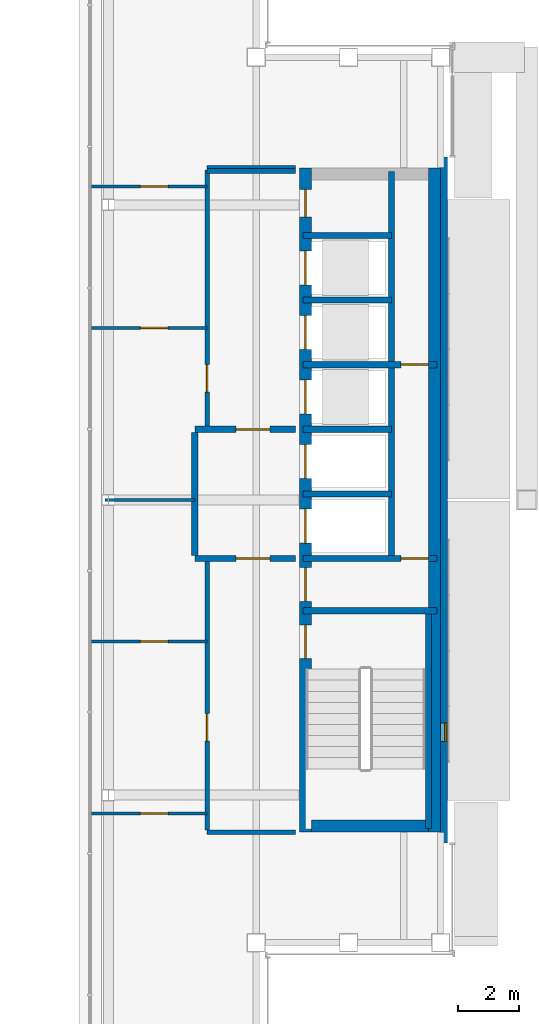
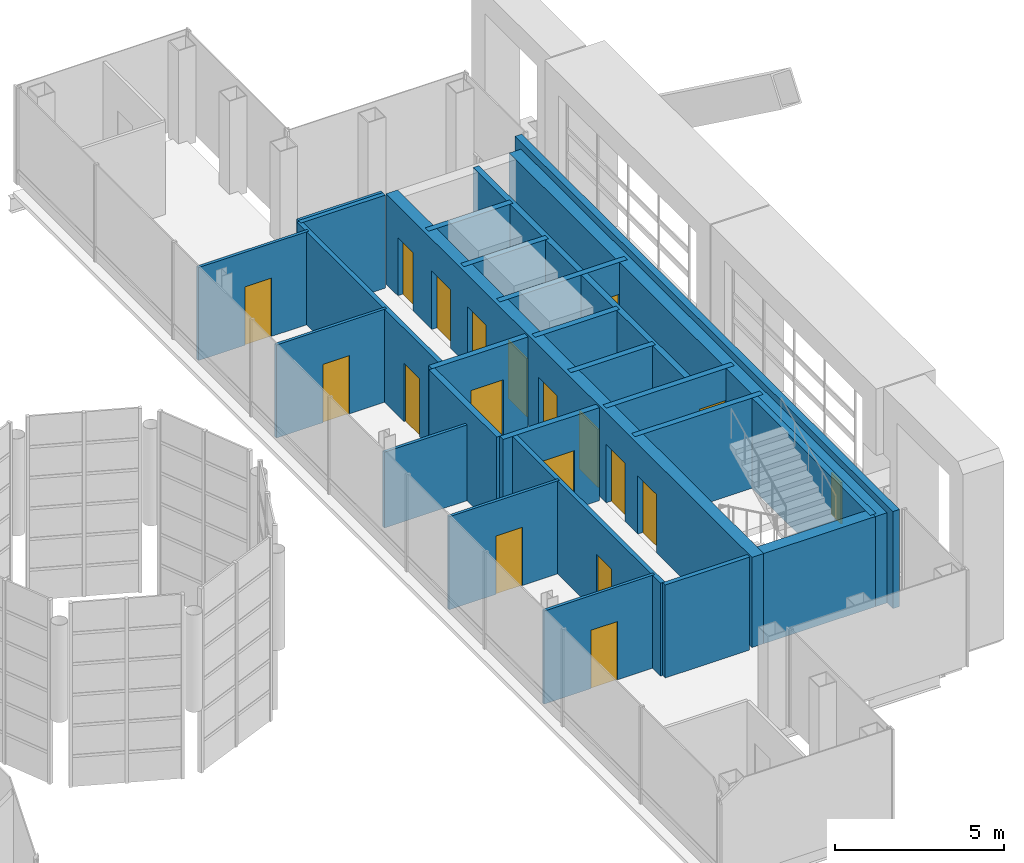
# One storey, part 14 of 21: 27 walls, 18 doors, 1 window, 19 openings.
"""IFC4 building model written with IfcOpenShell, lengths in metres."""

from ifc_helpers import new_model, si_unit, direction, frame, frame_2d, origin, place, context, subcontext, project, spatial, rectangle, extrude, material, layer, layer_set, type_object, element, fill, save


model = new_model("IFC4")

# Units and contexts
model_context = context("Model", 3, precision=1e-05, world=origin(), true_north=direction((0.0, 1.0)))
body_context = subcontext(model_context, "Body", "Model", "MODEL_VIEW")
ifc_project = project(units=[si_unit("LENGTHUNIT", "METRE"), si_unit("AREAUNIT", "SQUARE_METRE"), si_unit("VOLUMEUNIT", "CUBIC_METRE"), si_unit("PLANEANGLEUNIT", "RADIAN"), si_unit("MASSUNIT", "GRAM", prefix="KILO")], contexts=[model_context])

# Site, building, storey
site_placement = place(None, origin())
site = spatial("IfcSite", under=ifc_project, at=site_placement, CompositionType="ELEMENT")
building_placement = place(site_placement, origin())
building = spatial("IfcBuilding", under=site, at=building_placement, Name="Cobrizo Arcos Hotel Tower", CompositionType="ELEMENT")
storey_placement = place(building_placement, frame((0.0, 0.0, 276.0)))
storey = spatial("IfcBuildingStorey", under=building, at=storey_placement, Name="L73", CompositionType="ELEMENT", Elevation=276.0)

# Walls
ifc_material_1 = material(Name="Gypsum board partition")
ifc_layer_1 = layer(ifc_material_1, 0.14990234375)
ifc_layer_set_1 = layer_set([ifc_layer_1], Name="Corridor wall EI 60 150")
wall_type_1 = type_object("IfcWallType", Name="Corridor wall EI 60 150", PredefinedType="PARTITIONING", material=ifc_layer_set_1)
for number, where, z_axis, x_axis, name in (
    (1, (12.800048828125, -10.800048828125, 0.0), (0.0, 0.0, 1.0), (1.0, 0.0, 0.0), "Partition 004"),
    (2, (12.800048828125, 10.699951171875, 0.0), (0.0, 0.0, 1.0), (1.0, 0.0, 0.0), "Partition 033"),
    (3, (12.800048828125, 10.800048828125, 0.0), (0.0, 0.0, 1.0), (1.0, 0.0, 0.0), "Partition 035"),
):
    element("IfcWall", number, at=place(storey_placement, frame(where, z_axis=z_axis, x_axis=x_axis)), inside=storey, type_object=wall_type_1, Name=name, PredefinedType="PARTITIONING", context=body_context, shape_type="SweptSolid", body=[
        extrude(rectangle(XDim=2.8798828125, YDim=0.14990234375, at=frame_2d((1.43994140625, 0.0))), origin(), (0.0, 0.0, 1.0), 3.35009765625),
    ])

# Wall, opening, door
wall_1_placement = place(storey_placement, frame((12.800048828125, -10.72509765625, 0.0), z_axis=(0.0, 0.0, 1.0), x_axis=(0.0, 1.0, 0.0)))
wall_1 = element("IfcWall", 4, at=wall_1_placement, inside=storey, type_object=wall_type_1, Name="Partition 050", PredefinedType="PARTITIONING", context=body_context, shape_type="SweptSolid", body=[
    extrude(rectangle(XDim=8.72509765625, YDim=0.14990234375, at=frame_2d((4.362548828125, 0.0))), origin(), (0.0, 0.0, 1.0), 3.35009765625),
])
opening_1_placement = place(wall_1_placement, frame((2.8798828125, 0.0, 0.0)))
opening_1 = element("IfcOpeningElement", 5, at=opening_1_placement, cuts=wall_1, Name="Opening RD-10", PredefinedType="OPENING", context=body_context, shape_type="SweptSolid", body=[
    extrude(rectangle(XDim=0.89990234375, YDim=2.10009765625, at=frame_2d((0.449951171875, 1.050048828125))), frame((0.0, 0.0869140625, 0.0), z_axis=(0.0, -1.0, 0.0), x_axis=(1.0, 0.0, 0.0)), (0.0, 0.0, 1.0), 0.173828125),
])
ifc_material_2 = material(Name="Timber door leaf", Category="wood")
door_type_1 = type_object("IfcDoorType", Name="Room door FD30 900x2100", OperationType="SINGLE_SWING_LEFT", PredefinedType="DOOR", material=ifc_material_2)
door_1_placement = place(opening_1_placement, origin())
door_1 = element("IfcDoor", 6, at=door_1_placement, inside=storey, type_object=door_type_1, Name="Door RD-10", OperationType="SINGLE_SWING_RIGHT", OverallHeight=2.10009765625, OverallWidth=0.89990234375, PredefinedType="DOOR", context=body_context, shape_type="SweptSolid", body=[
    extrude(rectangle(XDim=0.89990234375, YDim=2.10009765625, at=frame_2d((0.449951171875, 1.050048828125))), frame((0.0, 0.02490234375, 0.0), z_axis=(0.0, -1.0, 0.0), x_axis=(1.0, 0.0, 0.0)), (0.0, 0.0, 1.0), 0.050048828125),
])
fill(opening_1, door_1)

wall_2_placement = place(storey_placement, frame((12.800048828125, 2.39990234375, 0.0), z_axis=(0.0, 0.0, 1.0), x_axis=(0.0, 1.0, 0.0)))
wall_2 = element("IfcWall", 7, at=wall_2_placement, inside=storey, type_object=wall_type_1, Name="Partition 051", PredefinedType="PARTITIONING", context=body_context, shape_type="SweptSolid", body=[
    extrude(rectangle(XDim=8.3251953125, YDim=0.14990234375, at=frame_2d((4.16259765625, 0.0))), origin(), (0.0, 0.0, 1.0), 3.35009765625),
])
opening_2_placement = place(wall_2_placement, frame((1.10498046875, 0.0, 0.0)))
opening_2 = element("IfcOpeningElement", 8, at=opening_2_placement, cuts=wall_2, Name="Opening RD-07", PredefinedType="OPENING", context=body_context, shape_type="SweptSolid", body=[
    extrude(rectangle(XDim=0.89990234375, YDim=2.10009765625, at=frame_2d((0.449951171875, 1.050048828125))), frame((0.0, 0.0869140625, 0.0), z_axis=(0.0, -1.0, 0.0), x_axis=(1.0, 0.0, 0.0)), (0.0, 0.0, 1.0), 0.173828125),
])
door_2_placement = place(opening_2_placement, origin())
door_2 = element("IfcDoor", 9, at=door_2_placement, inside=storey, type_object=door_type_1, Name="Door RD-07", OperationType="SINGLE_SWING_LEFT", OverallHeight=2.10009765625, OverallWidth=0.89990234375, PredefinedType="DOOR", context=body_context, shape_type="SweptSolid", body=[
    extrude(rectangle(XDim=0.89990234375, YDim=2.10009765625, at=frame_2d((0.449951171875, 1.050048828125))), frame((0.0, 0.02490234375, 0.0), z_axis=(0.0, -1.0, 0.0), x_axis=(1.0, 0.0, 0.0)), (0.0, 0.0, 1.0), 0.050048828125),
])
fill(opening_2, door_2)

# Wall, opening, window
ifc_material_3 = material(Name="Aluminium composite panel pale metal", Category="aluminium")
ifc_layer_2 = layer(ifc_material_3, 0.22509765625)
ifc_layer_set_2 = layer_set([ifc_layer_2], Name="EW-1 insulated panel wall 225")
wall_type_2 = type_object("IfcWallType", Name="EW-1 insulated panel wall 225", PredefinedType="SOLIDWALL", material=ifc_layer_set_2)
wall_3_placement = place(storey_placement, frame((20.512451171875, -11.14990234375, 0.0), z_axis=(0.0, 0.0, 1.0), x_axis=(0.0, 1.0, 0.0)))
wall_3 = element("IfcWall", 10, at=wall_3_placement, inside=storey, type_object=wall_type_2, Name="Core face wall L73 E", PredefinedType="SOLIDWALL", context=body_context, shape_type="SweptSolid", body=[
    extrude(rectangle(XDim=22.2998046875, YDim=0.22509765625, at=frame_2d((11.14990234375, 0.0))), origin(), (0.0, 0.0, 1.0), 3.5),
])
opening_3_placement = place(wall_3_placement, frame((3.300048828125, 0.0, 1.0)))
opening_3 = element("IfcOpeningElement", 11, at=opening_3_placement, cuts=wall_3, Name="Opening W-165", PredefinedType="OPENING", context=body_context, shape_type="SweptSolid", body=[
    extrude(rectangle(XDim=0.60009765625, YDim=1.5, at=frame_2d((0.300048828125, 0.75))), frame((0.0, 0.12451171875, 0.0), z_axis=(0.0, -1.0, 0.0), x_axis=(1.0, 0.0, 0.0)), (0.0, 0.0, 1.0), 0.2490234375),
])
ifc_material_4 = material(Name="Aluminium 6063-T6 and clear laminated glass", Category="aluminium")
window_type = type_object("IfcWindowType", Name="W-C1 core stair slot window 600x1500", PartitioningType="SINGLE_PANEL", PredefinedType="WINDOW", material=ifc_material_4)
window_placement = place(opening_3_placement, origin())
window = element("IfcWindow", 12, at=window_placement, inside=storey, type_object=window_type, Name="Core face wall L73 E window W-165", OverallHeight=1.5, OverallWidth=0.60009765625, PartitioningType="SINGLE_PANEL", PredefinedType="WINDOW", context=body_context, shape_type="SweptSolid", body=[
    extrude(rectangle(XDim=0.60009765625, YDim=1.5, at=frame_2d((0.300048828125, 0.75))), frame((0.0, -0.0224609375, 0.0), z_axis=(0.0, -1.0, 0.0), x_axis=(1.0, 0.0, 0.0)), (0.0, 0.0, 1.0), 0.06005859375),
])
fill(opening_3, window)

# Wall, opening, door
ifc_layer_3 = layer(ifc_material_1, 0.10009765625)
ifc_layer_set_3 = layer_set([ifc_layer_3], Name="Partition EI 30 100")
wall_type_3 = type_object("IfcWallType", Name="Partition EI 30 100", PredefinedType="PARTITIONING", material=ifc_layer_set_3)
wall_4_placement = place(storey_placement, frame((9.034912109375, -10.199951171875, 0.0), z_axis=(0.0, 0.0, 1.0), x_axis=(1.0, 0.0, 0.0)))
wall_4 = element("IfcWall", 13, at=wall_4_placement, inside=storey, type_object=wall_type_3, Name="Partition 006", PredefinedType="PARTITIONING", context=body_context, shape_type="SweptSolid", body=[
    extrude(rectangle(XDim=3.76513671875, YDim=0.10009765625, at=frame_2d((1.882568359375, 0.0))), origin(), (0.0, 0.0, 1.0), 3.35009765625),
])
opening_4_placement = place(wall_4_placement, frame((1.596923828125, 0.0, 0.0)))
opening_4 = element("IfcOpeningElement", 14, at=opening_4_placement, cuts=wall_4, Name="Opening RD-12", PredefinedType="OPENING", context=body_context, shape_type="SweptSolid", body=[
    extrude(rectangle(XDim=0.89990234375, YDim=2.10009765625, at=frame_2d((0.449951171875, 1.050048828125))), frame((0.0, 0.06201171875, 0.0), z_axis=(0.0, -1.0, 0.0), x_axis=(1.0, 0.0, 0.0)), (0.0, 0.0, 1.0), 0.1240234375),
])
door_3_placement = place(opening_4_placement, origin())
door_3 = element("IfcDoor", 15, at=door_3_placement, inside=storey, type_object=door_type_1, Name="Door RD-12", OperationType="SINGLE_SWING_LEFT", OverallHeight=2.10009765625, OverallWidth=0.89990234375, PredefinedType="DOOR", context=body_context, shape_type="SweptSolid", body=[
    extrude(rectangle(XDim=0.89990234375, YDim=2.10009765625, at=frame_2d((0.449951171875, 1.050048828125))), frame((0.0, 0.02490234375, 0.0), z_axis=(0.0, -1.0, 0.0), x_axis=(1.0, 0.0, 0.0)), (0.0, 0.0, 1.0), 0.050048828125),
])
fill(opening_4, door_3)

wall_5_placement = place(storey_placement, frame((9.034912109375, -4.60009765625, 0.0), z_axis=(0.0, 0.0, 1.0), x_axis=(1.0, 0.0, 0.0)))
wall_5 = element("IfcWall", 16, at=wall_5_placement, inside=storey, type_object=wall_type_3, Name="Partition 008", PredefinedType="PARTITIONING", context=body_context, shape_type="SweptSolid", body=[
    extrude(rectangle(XDim=3.76513671875, YDim=0.10009765625, at=frame_2d((1.882568359375, 0.0))), origin(), (0.0, 0.0, 1.0), 3.35009765625),
])
opening_5_placement = place(wall_5_placement, frame((1.596923828125, 0.0, 0.0)))
opening_5 = element("IfcOpeningElement", 17, at=opening_5_placement, cuts=wall_5, Name="Opening RD-11", PredefinedType="OPENING", context=body_context, shape_type="SweptSolid", body=[
    extrude(rectangle(XDim=0.89990234375, YDim=2.10009765625, at=frame_2d((0.449951171875, 1.050048828125))), frame((0.0, 0.06201171875, 0.0), z_axis=(0.0, -1.0, 0.0), x_axis=(1.0, 0.0, 0.0)), (0.0, 0.0, 1.0), 0.1240234375),
])
door_4_placement = place(opening_5_placement, origin())
door_4 = element("IfcDoor", 18, at=door_4_placement, inside=storey, type_object=door_type_1, Name="Door RD-11", OperationType="SINGLE_SWING_LEFT", OverallHeight=2.10009765625, OverallWidth=0.89990234375, PredefinedType="DOOR", context=body_context, shape_type="SweptSolid", body=[
    extrude(rectangle(XDim=0.89990234375, YDim=2.10009765625, at=frame_2d((0.449951171875, 1.050048828125))), frame((0.0, 0.02490234375, 0.0), z_axis=(0.0, -1.0, 0.0), x_axis=(1.0, 0.0, 0.0)), (0.0, 0.0, 1.0), 0.050048828125),
])
fill(opening_5, door_4)

# Wall
wall_6_placement = place(storey_placement, frame((9.485107421875, 0.0, 0.0), z_axis=(0.0, 0.0, 1.0), x_axis=(1.0, 0.0, 0.0)))
element("IfcWall", 19, at=wall_6_placement, inside=storey, type_object=wall_type_3, Name="Partition 016", PredefinedType="PARTITIONING", context=body_context, shape_type="SweptSolid", body=[
    extrude(rectangle(XDim=2.914794921875, YDim=0.10009765625, at=frame_2d((1.45751953125, 0.0))), origin(), (0.0, 0.0, 1.0), 2.72802734375),
])

# Wall, opening, door
wall_7_placement = place(storey_placement, frame((9.034912109375, 5.60009765625, 0.0), z_axis=(0.0, 0.0, 1.0), x_axis=(1.0, 0.0, 0.0)))
wall_7 = element("IfcWall", 20, at=wall_7_placement, inside=storey, type_object=wall_type_3, Name="Partition 025", PredefinedType="PARTITIONING", context=body_context, shape_type="SweptSolid", body=[
    extrude(rectangle(XDim=3.76513671875, YDim=0.10009765625, at=frame_2d((1.882568359375, 0.0))), origin(), (0.0, 0.0, 1.0), 3.35009765625),
])
opening_6_placement = place(wall_7_placement, frame((1.596923828125, 0.0, 0.0)))
opening_6 = element("IfcOpeningElement", 21, at=opening_6_placement, cuts=wall_7, Name="Opening RD-08", PredefinedType="OPENING", context=body_context, shape_type="SweptSolid", body=[
    extrude(rectangle(XDim=0.89990234375, YDim=2.10009765625, at=frame_2d((0.449951171875, 1.050048828125))), frame((0.0, 0.06201171875, 0.0), z_axis=(0.0, -1.0, 0.0), x_axis=(1.0, 0.0, 0.0)), (0.0, 0.0, 1.0), 0.1240234375),
])
door_5_placement = place(opening_6_placement, origin())
door_5 = element("IfcDoor", 22, at=door_5_placement, inside=storey, type_object=door_type_1, Name="Door RD-08", OperationType="SINGLE_SWING_RIGHT", OverallHeight=2.10009765625, OverallWidth=0.89990234375, PredefinedType="DOOR", context=body_context, shape_type="SweptSolid", body=[
    extrude(rectangle(XDim=0.89990234375, YDim=2.10009765625, at=frame_2d((0.449951171875, 1.050048828125))), frame((0.0, 0.02490234375, 0.0), z_axis=(0.0, -1.0, 0.0), x_axis=(1.0, 0.0, 0.0)), (0.0, 0.0, 1.0), 0.050048828125),
])
fill(opening_6, door_5)

wall_8_placement = place(storey_placement, frame((9.034912109375, 10.199951171875, 0.0), z_axis=(0.0, 0.0, 1.0), x_axis=(1.0, 0.0, 0.0)))
wall_8 = element("IfcWall", 23, at=wall_8_placement, inside=storey, type_object=wall_type_3, Name="Partition 031", PredefinedType="PARTITIONING", context=body_context, shape_type="SweptSolid", body=[
    extrude(rectangle(XDim=3.76513671875, YDim=0.10009765625, at=frame_2d((1.882568359375, 0.0))), origin(), (0.0, 0.0, 1.0), 3.35009765625),
])
opening_7_placement = place(wall_8_placement, frame((1.596923828125, 0.0, 0.0)))
opening_7 = element("IfcOpeningElement", 24, at=opening_7_placement, cuts=wall_8, Name="Opening RD-09", PredefinedType="OPENING", context=body_context, shape_type="SweptSolid", body=[
    extrude(rectangle(XDim=0.89990234375, YDim=2.10009765625, at=frame_2d((0.449951171875, 1.050048828125))), frame((0.0, 0.06201171875, 0.0), z_axis=(0.0, -1.0, 0.0), x_axis=(1.0, 0.0, 0.0)), (0.0, 0.0, 1.0), 0.1240234375),
])
door_6_placement = place(opening_7_placement, origin())
door_6 = element("IfcDoor", 25, at=door_6_placement, inside=storey, type_object=door_type_1, Name="Door RD-09", OperationType="SINGLE_SWING_RIGHT", OverallHeight=2.10009765625, OverallWidth=0.89990234375, PredefinedType="DOOR", context=body_context, shape_type="SweptSolid", body=[
    extrude(rectangle(XDim=0.89990234375, YDim=2.10009765625, at=frame_2d((0.449951171875, 1.050048828125))), frame((0.0, 0.02490234375, 0.0), z_axis=(0.0, -1.0, 0.0), x_axis=(1.0, 0.0, 0.0)), (0.0, 0.0, 1.0), 0.050048828125),
])
fill(opening_7, door_6)

# Wall, openings, doors
ifc_material_5 = material(Name="Concrete f'c 40 MPa", Category="concrete")
ifc_layer_4 = layer(ifc_material_5, 0.39990234375)
ifc_layer_set_4 = layer_set([ifc_layer_4], Name="RC core wall 400 f'c 40")
wall_type_4 = type_object("IfcWallType", Name="RC core wall 400 f'c 40", PredefinedType="SHEAR", material=ifc_layer_set_4)
wall_9_placement = place(storey_placement, frame((16.0, -10.800048828125, 0.0), z_axis=(0.0, 0.0, 1.0), x_axis=(0.0, 1.0, 0.0)))
wall_9 = element("IfcWall", 26, at=wall_9_placement, inside=storey, type_object=wall_type_4, Name="Core wall CW4, east core, inner face, L73", PredefinedType="SHEAR", context=body_context, shape_type="SweptSolid", body=[
    extrude(rectangle(XDim=21.60009765625, YDim=0.39990234375, at=frame_2d((10.800048828125, 0.0))), origin(), (0.0, 0.0, 1.0), 3.25),
])
opening_8_placement = place(wall_9_placement, frame((9.39990234375, 0.0, 0.0)))
opening_8 = element("IfcOpeningElement", 27, at=opening_8_placement, cuts=wall_9, Name="Opening LD-06", PredefinedType="OPENING", context=body_context, shape_type="SweptSolid", body=[
    extrude(rectangle(XDim=1.10009765625, YDim=2.10009765625, at=frame_2d((0.550048828125, 1.050048828125))), frame((0.0, 0.2119140625, 0.0), z_axis=(0.0, -1.0, 0.0), x_axis=(1.0, 0.0, 0.0)), (0.0, 0.0, 1.0), 0.423828125),
])
opening_9_placement = place(wall_9_placement, frame((11.5, 0.0, 0.0)))
opening_9 = element("IfcOpeningElement", 28, at=opening_9_placement, cuts=wall_9, Name="Opening LD-07", PredefinedType="OPENING", context=body_context, shape_type="SweptSolid", body=[
    extrude(rectangle(XDim=1.10009765625, YDim=2.10009765625, at=frame_2d((0.550048828125, 1.050048828125))), frame((0.0, 0.2119140625, 0.0), z_axis=(0.0, -1.0, 0.0), x_axis=(1.0, 0.0, 0.0)), (0.0, 0.0, 1.0), 0.423828125),
])
opening_10_placement = place(wall_9_placement, frame((13.60009765625, 0.0, 0.0)))
opening_10 = element("IfcOpeningElement", 29, at=opening_10_placement, cuts=wall_9, Name="Opening LD-08", PredefinedType="OPENING", context=body_context, shape_type="SweptSolid", body=[
    extrude(rectangle(XDim=1.10009765625, YDim=2.10009765625, at=frame_2d((0.550048828125, 1.050048828125))), frame((0.0, 0.2119140625, 0.0), z_axis=(0.0, -1.0, 0.0), x_axis=(1.0, 0.0, 0.0)), (0.0, 0.0, 1.0), 0.423828125),
])
opening_11_placement = place(wall_9_placement, frame((15.699951171875, 0.0, 0.0)))
opening_11 = element("IfcOpeningElement", 30, at=opening_11_placement, cuts=wall_9, Name="Opening LD-09", PredefinedType="OPENING", context=body_context, shape_type="SweptSolid", body=[
    extrude(rectangle(XDim=1.10009765625, YDim=2.10009765625, at=frame_2d((0.550048828125, 1.050048828125))), frame((0.0, 0.2119140625, 0.0), z_axis=(0.0, -1.0, 0.0), x_axis=(1.0, 0.0, 0.0)), (0.0, 0.0, 1.0), 0.423828125),
])
opening_12_placement = place(wall_9_placement, frame((17.800048828125, 0.0, 0.0)))
opening_12 = element("IfcOpeningElement", 31, at=opening_12_placement, cuts=wall_9, Name="Opening LD-10", PredefinedType="OPENING", context=body_context, shape_type="SweptSolid", body=[
    extrude(rectangle(XDim=1.10009765625, YDim=2.10009765625, at=frame_2d((0.550048828125, 1.050048828125))), frame((0.0, 0.2119140625, 0.0), z_axis=(0.0, -1.0, 0.0), x_axis=(1.0, 0.0, 0.0)), (0.0, 0.0, 1.0), 0.423828125),
])
opening_13_placement = place(wall_9_placement, frame((5.64208984375, 0.0, 0.0)))
opening_13 = element("IfcOpeningElement", 32, at=opening_13_placement, cuts=wall_9, Name="Opening SD-02", PredefinedType="OPENING", context=body_context, shape_type="SweptSolid", body=[
    extrude(rectangle(XDim=1.10009765625, YDim=2.10009765625, at=frame_2d((0.550048828125, 1.050048828125))), frame((0.0, 0.2119140625, 0.0), z_axis=(0.0, -1.0, 0.0), x_axis=(1.0, 0.0, 0.0)), (0.0, 0.0, 1.0), 0.423828125),
])
opening_14_placement = place(wall_9_placement, frame((7.5, 0.0, 0.0)))
opening_14 = element("IfcOpeningElement", 33, at=opening_14_placement, cuts=wall_9, Name="Opening FD-04", PredefinedType="OPENING", context=body_context, shape_type="SweptSolid", body=[
    extrude(rectangle(XDim=1.10009765625, YDim=2.10009765625, at=frame_2d((0.550048828125, 1.050048828125))), frame((0.0, 0.2119140625, 0.0), z_axis=(0.0, -1.0, 0.0), x_axis=(1.0, 0.0, 0.0)), (0.0, 0.0, 1.0), 0.423828125),
])
opening_15_placement = place(wall_9_placement, frame((20.0, 0.0, 0.0)))
opening_15 = element("IfcOpeningElement", 34, at=opening_15_placement, cuts=wall_9, Name="Opening RD-04", PredefinedType="OPENING", context=body_context, shape_type="SweptSolid", body=[
    extrude(rectangle(XDim=0.89990234375, YDim=2.10009765625, at=frame_2d((0.449951171875, 1.050048828125))), frame((0.0, 0.2119140625, 0.0), z_axis=(0.0, -1.0, 0.0), x_axis=(1.0, 0.0, 0.0)), (0.0, 0.0, 1.0), 0.423828125),
])
ifc_material_6 = material(Name="Steel door leaf", Category="steel")
door_type_2 = type_object("IfcDoorType", Name="Fire door FD60 1100x2100", OperationType="SINGLE_SWING_LEFT", PredefinedType="DOOR", material=ifc_material_6)
door_7_placement = place(opening_14_placement, origin())
door_7 = element("IfcDoor", 35, at=door_7_placement, inside=storey, type_object=door_type_2, Name="Door FD-04", OperationType="SINGLE_SWING_LEFT", OverallHeight=2.10009765625, OverallWidth=1.10009765625, PredefinedType="DOOR", context=body_context, shape_type="SweptSolid", body=[
    extrude(rectangle(XDim=1.10009765625, YDim=2.10009765625, at=frame_2d((0.550048828125, 1.050048828125))), frame((0.0, 0.02490234375, 0.0), z_axis=(0.0, -1.0, 0.0), x_axis=(1.0, 0.0, 0.0)), (0.0, 0.0, 1.0), 0.050048828125),
])
fill(opening_14, door_7)
door_type_3 = type_object("IfcDoorType", Name="Lift landing door 1100x2100", OperationType="SLIDING_TO_LEFT", PredefinedType="DOOR", material=ifc_material_6)
door_8_placement = place(opening_8_placement, origin())
door_8 = element("IfcDoor", 36, at=door_8_placement, inside=storey, type_object=door_type_3, Name="Lift landing door LD-06", OperationType="SLIDING_TO_LEFT", OverallHeight=2.10009765625, OverallWidth=1.10009765625, PredefinedType="DOOR", context=body_context, shape_type="SweptSolid", body=[
    extrude(rectangle(XDim=1.10009765625, YDim=2.10009765625, at=frame_2d((0.550048828125, 1.050048828125))), frame((0.0, 0.02490234375, 0.0), z_axis=(0.0, -1.0, 0.0), x_axis=(1.0, 0.0, 0.0)), (0.0, 0.0, 1.0), 0.050048828125),
])
fill(opening_8, door_8)
door_9_placement = place(opening_9_placement, origin())
door_9 = element("IfcDoor", 37, at=door_9_placement, inside=storey, type_object=door_type_3, Name="Lift landing door LD-07", OperationType="SLIDING_TO_LEFT", OverallHeight=2.10009765625, OverallWidth=1.10009765625, PredefinedType="DOOR", context=body_context, shape_type="SweptSolid", body=[
    extrude(rectangle(XDim=1.10009765625, YDim=2.10009765625, at=frame_2d((0.550048828125, 1.050048828125))), frame((0.0, 0.02490234375, 0.0), z_axis=(0.0, -1.0, 0.0), x_axis=(1.0, 0.0, 0.0)), (0.0, 0.0, 1.0), 0.050048828125),
])
fill(opening_9, door_9)
door_10_placement = place(opening_10_placement, origin())
door_10 = element("IfcDoor", 38, at=door_10_placement, inside=storey, type_object=door_type_3, Name="Lift landing door LD-08", OperationType="SLIDING_TO_LEFT", OverallHeight=2.10009765625, OverallWidth=1.10009765625, PredefinedType="DOOR", context=body_context, shape_type="SweptSolid", body=[
    extrude(rectangle(XDim=1.10009765625, YDim=2.10009765625, at=frame_2d((0.550048828125, 1.050048828125))), frame((0.0, 0.02490234375, 0.0), z_axis=(0.0, -1.0, 0.0), x_axis=(1.0, 0.0, 0.0)), (0.0, 0.0, 1.0), 0.050048828125),
])
fill(opening_10, door_10)
door_11_placement = place(opening_11_placement, origin())
door_11 = element("IfcDoor", 39, at=door_11_placement, inside=storey, type_object=door_type_3, Name="Lift landing door LD-09", OperationType="SLIDING_TO_LEFT", OverallHeight=2.10009765625, OverallWidth=1.10009765625, PredefinedType="DOOR", context=body_context, shape_type="SweptSolid", body=[
    extrude(rectangle(XDim=1.10009765625, YDim=2.10009765625, at=frame_2d((0.550048828125, 1.050048828125))), frame((0.0, 0.02490234375, 0.0), z_axis=(0.0, -1.0, 0.0), x_axis=(1.0, 0.0, 0.0)), (0.0, 0.0, 1.0), 0.050048828125),
])
fill(opening_11, door_11)
door_12_placement = place(opening_12_placement, origin())
door_12 = element("IfcDoor", 40, at=door_12_placement, inside=storey, type_object=door_type_3, Name="Lift landing door LD-10", OperationType="SLIDING_TO_LEFT", OverallHeight=2.10009765625, OverallWidth=1.10009765625, PredefinedType="DOOR", context=body_context, shape_type="SweptSolid", body=[
    extrude(rectangle(XDim=1.10009765625, YDim=2.10009765625, at=frame_2d((0.550048828125, 1.050048828125))), frame((0.0, 0.02490234375, 0.0), z_axis=(0.0, -1.0, 0.0), x_axis=(1.0, 0.0, 0.0)), (0.0, 0.0, 1.0), 0.050048828125),
])
fill(opening_12, door_12)
door_13_placement = place(opening_15_placement, origin())
door_13 = element("IfcDoor", 41, at=door_13_placement, inside=storey, type_object=door_type_1, Name="Door RD-04", OperationType="SINGLE_SWING_LEFT", OverallHeight=2.10009765625, OverallWidth=0.89990234375, PredefinedType="DOOR", context=body_context, shape_type="SweptSolid", body=[
    extrude(rectangle(XDim=0.89990234375, YDim=2.10009765625, at=frame_2d((0.449951171875, 1.050048828125))), frame((0.0, 0.02490234375, 0.0), z_axis=(0.0, -1.0, 0.0), x_axis=(1.0, 0.0, 0.0)), (0.0, 0.0, 1.0), 0.050048828125),
])
fill(opening_15, door_13)
door_type_4 = type_object("IfcDoorType", Name="Stair door FD60S 1100x2100", OperationType="SINGLE_SWING_LEFT", PredefinedType="DOOR", material=ifc_material_6)
door_14_placement = place(opening_13_placement, origin())
door_14 = element("IfcDoor", 42, at=door_14_placement, inside=storey, type_object=door_type_4, Name="Door SD-02", OperationType="SINGLE_SWING_RIGHT", OverallHeight=2.10009765625, OverallWidth=1.10009765625, PredefinedType="DOOR", context=body_context, shape_type="SweptSolid", body=[
    extrude(rectangle(XDim=1.10009765625, YDim=2.10009765625, at=frame_2d((0.550048828125, 1.050048828125))), frame((0.0, 0.02490234375, 0.0), z_axis=(0.0, -1.0, 0.0), x_axis=(1.0, 0.0, 0.0)), (0.0, 0.0, 1.0), 0.050048828125),
])
fill(opening_13, door_14)

# Walls
wall_10_placement = place(storey_placement, frame((20.199951171875, -10.800048828125, 0.0), z_axis=(0.0, 0.0, 1.0), x_axis=(0.0, 1.0, 0.0)))
element("IfcWall", 43, at=wall_10_placement, inside=storey, type_object=wall_type_4, Name="Core wall CW4, east core, outer face, L73", PredefinedType="SHEAR", context=body_context, shape_type="SweptSolid", body=[
    extrude(rectangle(XDim=21.60009765625, YDim=0.39990234375, at=frame_2d((10.800048828125, 0.0))), origin(), (0.0, 0.0, 1.0), 3.25),
])
wall_11_placement = place(storey_placement, frame((16.199951171875, -10.60009765625, 0.0), z_axis=(0.0, 0.0, 1.0), x_axis=(1.0, 0.0, 0.0)))
element("IfcWall", 44, at=wall_11_placement, inside=storey, type_object=wall_type_4, Name="Core wall CW4, east core, south end, L73", PredefinedType="SHEAR", context=body_context, shape_type="SweptSolid", body=[
    extrude(rectangle(XDim=3.800048828125, YDim=0.39990234375, at=frame_2d((1.89990234375, 0.0))), origin(), (0.0, 0.0, 1.0), 3.25),
])

# Wall, opening, door
ifc_layer_5 = layer(ifc_material_1, 0.199951171875)
ifc_layer_set_5 = layer_set([ifc_layer_5], Name="Shaft wall EI 120 200")
wall_type_5 = type_object("IfcWallType", Name="Shaft wall EI 120 200", PredefinedType="PARTITIONING", material=ifc_layer_set_5)
wall_12_placement = place(storey_placement, frame((12.39990234375, -1.89990234375, 0.0), z_axis=(0.0, 0.0, 1.0), x_axis=(1.0, 0.0, 0.0)))
wall_12 = element("IfcWall", 45, at=wall_12_placement, inside=storey, type_object=wall_type_5, Name="Partition 013", PredefinedType="PARTITIONING", context=body_context, shape_type="SweptSolid", body=[
    extrude(rectangle(XDim=3.280029296875, YDim=0.199951171875, at=frame_2d((1.64013671875, 0.0))), origin(), (0.0, 0.0, 1.0), 3.35009765625),
])
opening_16_placement = place(wall_12_placement, frame((1.340087890625, 0.0, 0.0)))
opening_16 = element("IfcOpeningElement", 46, at=opening_16_placement, cuts=wall_12, Name="Opening FD-06", PredefinedType="OPENING", context=body_context, shape_type="SweptSolid", body=[
    extrude(rectangle(XDim=1.10009765625, YDim=2.10009765625, at=frame_2d((0.550048828125, 1.050048828125))), frame((0.0, 0.112060546875, 0.0), z_axis=(0.0, -1.0, 0.0), x_axis=(1.0, 0.0, 0.0)), (0.0, 0.0, 1.0), 0.223876953125),
])
door_15_placement = place(opening_16_placement, origin())
door_15 = element("IfcDoor", 47, at=door_15_placement, inside=storey, type_object=door_type_2, Name="Door FD-06", OperationType="SINGLE_SWING_LEFT", OverallHeight=2.10009765625, OverallWidth=1.10009765625, PredefinedType="DOOR", context=body_context, shape_type="SweptSolid", body=[
    extrude(rectangle(XDim=1.10009765625, YDim=2.10009765625, at=frame_2d((0.550048828125, 1.050048828125))), frame((0.0, 0.02490234375, 0.0), z_axis=(0.0, -1.0, 0.0), x_axis=(1.0, 0.0, 0.0)), (0.0, 0.0, 1.0), 0.050048828125),
])
fill(opening_16, door_15)

wall_13_placement = place(storey_placement, frame((15.919921875, -1.89990234375, 0.0), z_axis=(0.0, 0.0, 1.0), x_axis=(1.0, 0.0, 0.0)))
wall_13 = element("IfcWall", 48, at=wall_13_placement, inside=storey, type_object=wall_type_5, Name="Partition 014", PredefinedType="PARTITIONING", context=body_context, shape_type="SweptSolid", body=[
    extrude(rectangle(XDim=4.360107421875, YDim=0.199951171875, at=frame_2d((2.18017578125, 0.0))), origin(), (0.0, 0.0, 1.0), 3.25),
])
opening_17_placement = place(wall_13_placement, frame((3.179931640625, 0.0, 0.0)))
opening_17 = element("IfcOpeningElement", 49, at=opening_17_placement, cuts=wall_13, Name="Opening RD-05", PredefinedType="OPENING", context=body_context, shape_type="SweptSolid", body=[
    extrude(rectangle(XDim=0.89990234375, YDim=2.10009765625, at=frame_2d((0.449951171875, 1.050048828125))), frame((0.0, 0.112060546875, 0.0), z_axis=(0.0, -1.0, 0.0), x_axis=(1.0, 0.0, 0.0)), (0.0, 0.0, 1.0), 0.223876953125),
])
door_16_placement = place(opening_17_placement, origin())
door_16 = element("IfcDoor", 50, at=door_16_placement, inside=storey, type_object=door_type_1, Name="Door RD-05", OperationType="SINGLE_SWING_LEFT", OverallHeight=2.10009765625, OverallWidth=0.89990234375, PredefinedType="DOOR", context=body_context, shape_type="SweptSolid", body=[
    extrude(rectangle(XDim=0.89990234375, YDim=2.10009765625, at=frame_2d((0.449951171875, 1.050048828125))), frame((0.0, 0.02490234375, 0.0), z_axis=(0.0, -1.0, 0.0), x_axis=(1.0, 0.0, 0.0)), (0.0, 0.0, 1.0), 0.050048828125),
])
fill(opening_17, door_16)

# Wall
wall_14_placement = place(storey_placement, frame((15.919921875, 0.199951171875, 0.0), z_axis=(0.0, 0.0, 1.0), x_axis=(1.0, 0.0, 0.0)))
element("IfcWall", 51, at=wall_14_placement, inside=storey, type_object=wall_type_5, Name="Partition 018", PredefinedType="PARTITIONING", context=body_context, shape_type="SweptSolid", body=[
    extrude(rectangle(XDim=2.880126953125, YDim=0.199951171875, at=frame_2d((1.43994140625, 0.0))), origin(), (0.0, 0.0, 1.0), 3.25),
])

# Wall, opening, door
wall_15_placement = place(storey_placement, frame((12.39990234375, 2.300048828125, 0.0), z_axis=(0.0, 0.0, 1.0), x_axis=(1.0, 0.0, 0.0)))
wall_15 = element("IfcWall", 52, at=wall_15_placement, inside=storey, type_object=wall_type_5, Name="Partition 021", PredefinedType="PARTITIONING", context=body_context, shape_type="SweptSolid", body=[
    extrude(rectangle(XDim=3.280029296875, YDim=0.199951171875, at=frame_2d((1.64013671875, 0.0))), origin(), (0.0, 0.0, 1.0), 3.35009765625),
])
opening_18_placement = place(wall_15_placement, frame((1.340087890625, 0.0, 0.0)))
opening_18 = element("IfcOpeningElement", 53, at=opening_18_placement, cuts=wall_15, Name="Opening FD-05", PredefinedType="OPENING", context=body_context, shape_type="SweptSolid", body=[
    extrude(rectangle(XDim=1.10009765625, YDim=2.10009765625, at=frame_2d((0.550048828125, 1.050048828125))), frame((0.0, 0.112060546875, 0.0), z_axis=(0.0, -1.0, 0.0), x_axis=(1.0, 0.0, 0.0)), (0.0, 0.0, 1.0), 0.223876953125),
])
door_17_placement = place(opening_18_placement, origin())
door_17 = element("IfcDoor", 54, at=door_17_placement, inside=storey, type_object=door_type_2, Name="Door FD-05", OperationType="SINGLE_SWING_RIGHT", OverallHeight=2.10009765625, OverallWidth=1.10009765625, PredefinedType="DOOR", context=body_context, shape_type="SweptSolid", body=[
    extrude(rectangle(XDim=1.10009765625, YDim=2.10009765625, at=frame_2d((0.550048828125, 1.050048828125))), frame((0.0, 0.02490234375, 0.0), z_axis=(0.0, -1.0, 0.0), x_axis=(1.0, 0.0, 0.0)), (0.0, 0.0, 1.0), 0.050048828125),
])
fill(opening_18, door_17)

# Wall
wall_16_placement = place(storey_placement, frame((15.919921875, 2.300048828125, 0.0), z_axis=(0.0, 0.0, 1.0), x_axis=(1.0, 0.0, 0.0)))
element("IfcWall", 55, at=wall_16_placement, inside=storey, type_object=wall_type_5, Name="Partition 022", PredefinedType="PARTITIONING", context=body_context, shape_type="SweptSolid", body=[
    extrude(rectangle(XDim=2.880126953125, YDim=0.199951171875, at=frame_2d((1.43994140625, 0.0))), origin(), (0.0, 0.0, 1.0), 3.25),
])

# Wall, opening, door
wall_17_placement = place(storey_placement, frame((15.919921875, 4.39990234375, 0.0), z_axis=(0.0, 0.0, 1.0), x_axis=(1.0, 0.0, 0.0)))
wall_17 = element("IfcWall", 56, at=wall_17_placement, inside=storey, type_object=wall_type_5, Name="Partition 024", PredefinedType="PARTITIONING", context=body_context, shape_type="SweptSolid", body=[
    extrude(rectangle(XDim=4.360107421875, YDim=0.199951171875, at=frame_2d((2.18017578125, 0.0))), origin(), (0.0, 0.0, 1.0), 3.25),
])
opening_19_placement = place(wall_17_placement, frame((3.179931640625, 0.0, 0.0)))
opening_19 = element("IfcOpeningElement", 57, at=opening_19_placement, cuts=wall_17, Name="Opening RD-06", PredefinedType="OPENING", context=body_context, shape_type="SweptSolid", body=[
    extrude(rectangle(XDim=0.89990234375, YDim=2.10009765625, at=frame_2d((0.449951171875, 1.050048828125))), frame((0.0, 0.112060546875, 0.0), z_axis=(0.0, -1.0, 0.0), x_axis=(1.0, 0.0, 0.0)), (0.0, 0.0, 1.0), 0.223876953125),
])
door_18_placement = place(opening_19_placement, origin())
door_18 = element("IfcDoor", 58, at=door_18_placement, inside=storey, type_object=door_type_1, Name="Door RD-06", OperationType="SINGLE_SWING_RIGHT", OverallHeight=2.10009765625, OverallWidth=0.89990234375, PredefinedType="DOOR", context=body_context, shape_type="SweptSolid", body=[
    extrude(rectangle(XDim=0.89990234375, YDim=2.10009765625, at=frame_2d((0.449951171875, 1.050048828125))), frame((0.0, 0.02490234375, 0.0), z_axis=(0.0, -1.0, 0.0), x_axis=(1.0, 0.0, 0.0)), (0.0, 0.0, 1.0), 0.050048828125),
])
fill(opening_19, door_18)

# Walls
for number, where, z_axis, x_axis, name in (
    (59, (15.919921875, 6.5, 0.0), (0.0, 0.0, 1.0), (1.0, 0.0, 0.0), "Partition 028"),
    (60, (15.919921875, 8.60009765625, 0.0), (0.0, 0.0, 1.0), (1.0, 0.0, 0.0), "Partition 030"),
):
    element("IfcWall", number, at=place(storey_placement, frame(where, z_axis=z_axis, x_axis=x_axis)), inside=storey, type_object=wall_type_5, Name=name, PredefinedType="PARTITIONING", context=body_context, shape_type="SweptSolid", body=[
        extrude(rectangle(XDim=2.880126953125, YDim=0.199951171875, at=frame_2d((1.43994140625, 0.0))), origin(), (0.0, 0.0, 1.0), 3.25),
    ])
wall_18_placement = place(storey_placement, frame((12.39990234375, -1.800048828125, 0.0), z_axis=(0.0, 0.0, 1.0), x_axis=(0.0, 1.0, 0.0)))
element("IfcWall", 61, at=wall_18_placement, inside=storey, type_object=wall_type_5, Name="Partition 049", PredefinedType="PARTITIONING", context=body_context, shape_type="SweptSolid", body=[
    extrude(rectangle(XDim=4.0, YDim=0.199951171875, at=frame_2d((2.0, 0.0))), origin(), (0.0, 0.0, 1.0), 3.35009765625),
])
wall_19_placement = place(storey_placement, frame((18.800048828125, -1.800048828125, 0.0), z_axis=(0.0, 0.0, 1.0), x_axis=(0.0, 1.0, 0.0)))
element("IfcWall", 62, at=wall_19_placement, inside=storey, type_object=wall_type_5, Name="Partition 052", PredefinedType="PARTITIONING", context=body_context, shape_type="SweptSolid", body=[
    extrude(rectangle(XDim=6.10009765625, YDim=0.199951171875, at=frame_2d((3.050048828125, 0.0))), origin(), (0.0, 0.0, 1.0), 3.25),
])
wall_20_placement = place(storey_placement, frame((18.800048828125, 4.5, 0.0), z_axis=(0.0, 0.0, 1.0), x_axis=(0.0, 1.0, 0.0)))
element("IfcWall", 63, at=wall_20_placement, inside=storey, type_object=wall_type_5, Name="Partition 053", PredefinedType="PARTITIONING", context=body_context, shape_type="SweptSolid", body=[
    extrude(rectangle(XDim=6.179931640625, YDim=0.199951171875, at=frame_2d((3.08984375, 0.0))), origin(), (0.0, 0.0, 1.0), 3.25),
])
ifc_layer_6 = layer(ifc_material_5, 0.199951171875)
ifc_layer_set_6 = layer_set([ifc_layer_6], Name="Stair shaft wall 200")
wall_type_6 = type_object("IfcWallType", Name="Stair shaft wall 200", PredefinedType="SHEAR", material=ifc_layer_set_6)
wall_21_placement = place(storey_placement, frame((15.919921875, -3.60009765625, 0.0), z_axis=(0.0, 0.0, 1.0), x_axis=(1.0, 0.0, 0.0)))
element("IfcWall", 64, at=wall_21_placement, inside=storey, type_object=wall_type_6, Name="Stair shaft wall E", PredefinedType="SHEAR", context=body_context, shape_type="SweptSolid", body=[
    extrude(rectangle(XDim=4.360107421875, YDim=0.199951171875, at=frame_2d((2.18017578125, 0.0))), origin(), (0.0, 0.0, 1.0), 3.25),
])
wall_22_placement = place(storey_placement, frame((20.0, -10.679931640625, 0.0), z_axis=(0.0, 0.0, 1.0), x_axis=(0.0, 1.0, 0.0)))
element("IfcWall", 65, at=wall_22_placement, inside=storey, type_object=wall_type_6, Name="Stair shaft wall E", PredefinedType="SHEAR", context=body_context, shape_type="SweptSolid", body=[
    extrude(rectangle(XDim=6.97998046875, YDim=0.199951171875, at=frame_2d((3.489990234375, 0.0))), origin(), (0.0, 0.0, 1.0), 3.25),
])

save(model, "model.ifc")
